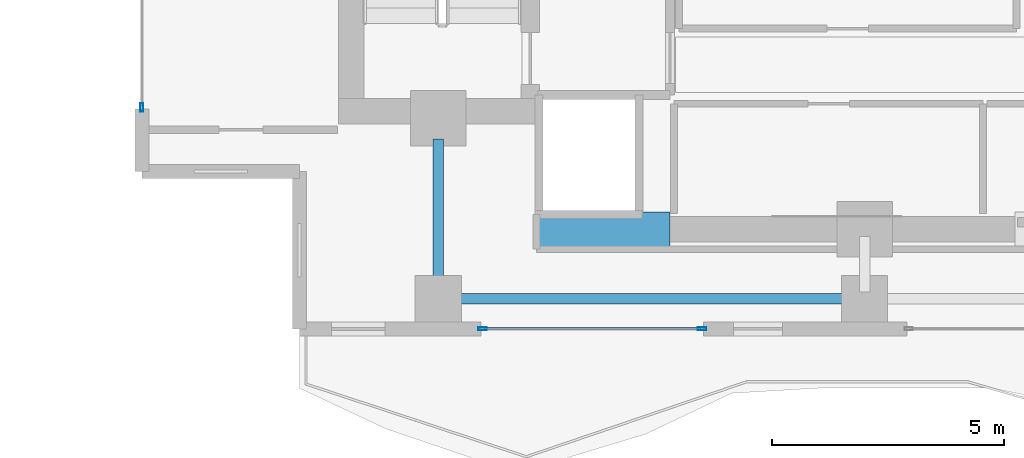
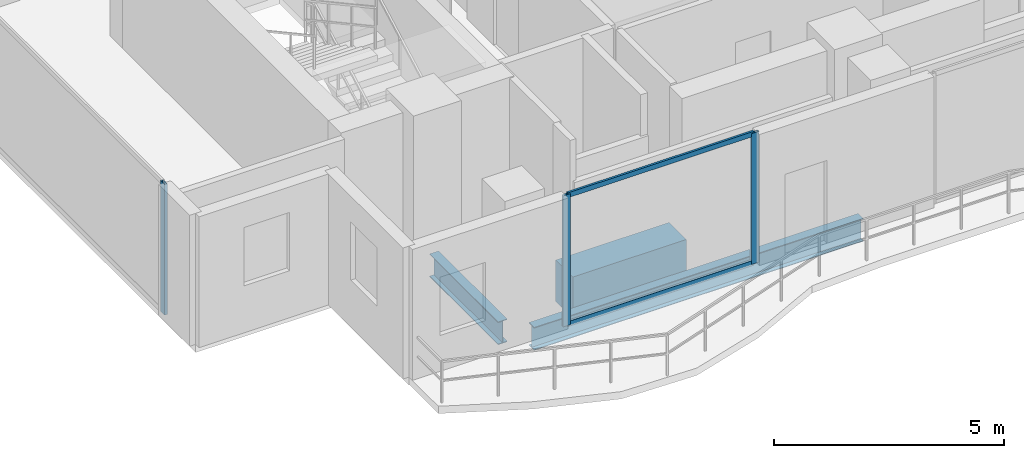
# One storey, part 2 of 23: 5 members, 3 beams, 2 elements without a shape of their own.
"""IFC4 building model written with IfcOpenShell, lengths in metres."""

from ifc_helpers import new_model, si_unit, direction, frame, origin, origin_2d, place, context, subcontext, project, spatial, rectangle, hollow_rectangle, i_section, extrude, material, layer, layer_set, material_profile, profile_set, type_object, element, aggregate, save


model = new_model("IFC4")

# Units and contexts
model_context = context("Model", 3, precision=1e-05, world=origin(), true_north=direction((0.0, 1.0)))
body_context = subcontext(model_context, "Body", "Model", "MODEL_VIEW")
ifc_project = project(units=[si_unit("LENGTHUNIT", "METRE"), si_unit("AREAUNIT", "SQUARE_METRE"), si_unit("VOLUMEUNIT", "CUBIC_METRE"), si_unit("PLANEANGLEUNIT", "RADIAN"), si_unit("MASSUNIT", "GRAM", prefix="KILO")], contexts=[model_context])

# Site, building, storey
site_placement = place(None, origin())
site = spatial("IfcSite", under=ifc_project, at=site_placement, CompositionType="ELEMENT")
building_placement = place(site_placement, origin())
building = spatial("IfcBuilding", under=site, at=building_placement, Name="Zuhayl Quay Hotel", CompositionType="ELEMENT")
storey_placement = place(building_placement, frame((0.0, 0.0, 261.85009765625)))
storey = spatial("IfcBuildingStorey", under=building, at=storey_placement, Name="L66", CompositionType="ELEMENT", Elevation=261.85009765625)

# Beams
ifc_material_1 = material(Name="Steel ASTM A992 Grade 50", Category="steel")
ifc_material_profile_1 = material_profile(ifc_material_1, i_section(OverallWidth=0.22802734375, OverallDepth=0.60693359375, WebThickness=0.01123046875, FlangeThickness=0.017333984375, at=origin_2d()), Name="W24X76")
ifc_profile_set_1 = profile_set([ifc_material_profile_1], Name="Steel ASTM A992 Grade 50")
beam_type_1 = type_object("IfcBeamType", Name="BM_B3_W24X76", PredefinedType="BEAM", material=ifc_profile_set_1)
beam_1_placement = place(storey_placement, frame((-13.340087890625, 0.64990234375, -0.523681640625), z_axis=(1.0, 0.0, 0.0), x_axis=(0.0, 1.0, 0.0)))
element("IfcBeam", 1, at=beam_1_placement, inside=storey, type_object=beam_type_1, Name="L66 Floor Beam RG_L66_01", PredefinedType="BEAM", context=body_context, shape_type="SweptSolid", body=[
    extrude(i_section(OverallWidth=0.22802734375, OverallDepth=0.60693359375, WebThickness=0.01123046875, FlangeThickness=0.017333984375, at=origin_2d()), origin(), (0.0, 0.0, 1.0), 8.280029296875),
])
beam_2_placement = place(storey_placement, frame((-13.800048828125, 1.110107421875, -0.523681640625), z_axis=(0.0, 1.0, 0.0), x_axis=(-1.0, 0.0, 0.0)))
element("IfcBeam", 2, at=beam_2_placement, inside=storey, type_object=beam_type_1, Name="L66 Floor Beam FG_S_L66_1", PredefinedType="BEAM", context=body_context, shape_type="SweptSolid", body=[
    extrude(i_section(OverallWidth=0.22802734375, OverallDepth=0.60693359375, WebThickness=0.01123046875, FlangeThickness=0.017333984375, at=origin_2d()), origin(), (0.0, 0.0, 1.0), 2.989990234375),
])
ifc_material_2 = material(Name="Concrete C60/75", Category="concrete")
ifc_material_profile_2 = material_profile(ifc_material_2, rectangle(XDim=0.75, YDim=1.10009765625, at=origin_2d()), Name="RC750X1100")
ifc_profile_set_2 = profile_set([ifc_material_profile_2], Name="Concrete C60/75")
beam_type_2 = type_object("IfcBeamType", Name="BM_CB2_RC750", PredefinedType="T_BEAM", material=ifc_profile_set_2)
beam_3_placement = place(storey_placement, frame((-11.64990234375, 2.14990234375, -0.77001953125), z_axis=(1.0, 0.0, 0.0), x_axis=(0.0, 1.0, 0.0)))
element("IfcBeam", 3, at=beam_3_placement, inside=storey, type_object=beam_type_2, Name="L66 Core Coupling Beam SW", PredefinedType="T_BEAM", context=body_context, shape_type="SweptSolid", body=[
    extrude(rectangle(XDim=0.75, YDim=1.10009765625, at=origin_2d()), origin(), (0.0, 0.0, 1.0), 2.849853515625),
])

# Curtain wall, member
ifc_material_3 = material(Name="Anodised Aluminium 6063-T6", Category="aluminium")
ifc_layer = layer(ifc_material_3, 0.169921875, Name="Anodised Aluminium 6063-T6", Category="aluminium")
ifc_layer_set = layer_set([ifc_layer], Name="Anodised Aluminium 6063-T6")
curtain_wall_type = type_object("IfcCurtainWallType", Name="CW_SYS_Z4", PredefinedType="USERDEFINED", material=ifc_layer_set)
curtain_wall_1_placement = place(storey_placement, origin())
curtain_wall_1 = element("IfcCurtainWall", 4, at=curtain_wall_1_placement, inside=storey, type_object=curtain_wall_type, Name="L66 Curtain Wall ENV_L66_E02_CW1", ObjectType="UNITISED CURTAIN WALL", PredefinedType="USERDEFINED")
ifc_material_4 = material(Name="Black-anodised aluminium 6063-T6", Category="aluminium")
ifc_material_profile_3 = material_profile(ifc_material_4, hollow_rectangle(XDim=0.06494140625, YDim=0.179931640625, WallThickness=0.00341796875, at=origin_2d()), Name="ALU180X65")
ifc_profile_set_3 = profile_set([ifc_material_profile_3], Name="Black-anodised aluminium 6063-T6")
member_type_1 = type_object("IfcMemberType", Name="MB_CW_MUL_180", PredefinedType="MULLION", material=ifc_profile_set_3)
member_1_placement = place(storey_placement, frame((-20.199951171875, 4.782470703125, 0.0), z_axis=(0.0, 0.0, 1.0), x_axis=(-1.0, 0.0, 0.0)))
member_1 = element("IfcMember", 5, at=member_1_placement, type_object=member_type_1, Name="CW-Z4 mullion 1", PredefinedType="MULLION", context=body_context, shape_type="SweptSolid", body=[
    extrude(hollow_rectangle(XDim=0.06494140625, YDim=0.179931640625, WallThickness=0.00341796875, at=origin_2d()), origin(), (0.0, 0.0, 1.0), 3.47998046875),
])
aggregate(curtain_wall_1, [member_1])

# Curtain wall, members
curtain_wall_2_placement = place(storey_placement, origin())
curtain_wall_2 = element("IfcCurtainWall", 6, at=curtain_wall_2_placement, inside=storey, type_object=curtain_wall_type, Name="L66 Curtain Wall ENV_L66_S_CW4", ObjectType="UNITISED CURTAIN WALL", PredefinedType="USERDEFINED")
member_2_placement = place(storey_placement, frame((-8.107421875, 0.0, 0.0), z_axis=(0.0, 0.0, 1.0), x_axis=(0.0, -1.0, 0.0)))
member_2 = element("IfcMember", 7, at=member_2_placement, type_object=member_type_1, Name="CW-Z4 mullion 1", PredefinedType="MULLION", context=body_context, shape_type="SweptSolid", body=[
    extrude(hollow_rectangle(XDim=0.06494140625, YDim=0.179931640625, WallThickness=0.00341796875, at=origin_2d()), origin(), (0.0, 0.0, 1.0), 3.47998046875),
])
member_3_placement = place(storey_placement, frame((-12.847412109375, 0.0, 0.0), z_axis=(0.0, 0.0, 1.0), x_axis=(0.0, -1.0, 0.0)))
member_3 = element("IfcMember", 8, at=member_3_placement, type_object=member_type_1, Name="CW-Z4 mullion 2", PredefinedType="MULLION", context=body_context, shape_type="SweptSolid", body=[
    extrude(hollow_rectangle(XDim=0.06494140625, YDim=0.179931640625, WallThickness=0.00341796875, at=origin_2d()), origin(), (0.0, 0.0, 1.0), 3.47998046875),
])
ifc_material_profile_4 = material_profile(ifc_material_4, hollow_rectangle(XDim=0.054931640625, YDim=0.1298828125, WallThickness=0.0029296875, at=origin_2d()), Name="ALU130X55")
ifc_profile_set_4 = profile_set([ifc_material_profile_4], Name="Black-anodised aluminium 6063-T6")
member_type_2 = type_object("IfcMemberType", Name="MB_CW_TRN_130", PredefinedType="USERDEFINED", material=ifc_profile_set_4)
member_4_placement = place(storey_placement, frame((-8.139892578125, 0.0, 0.02734375), z_axis=(-1.0, 0.0, 0.0), x_axis=(0.0, -1.0, 0.0)))
member_4 = element("IfcMember", 9, at=member_4_placement, type_object=member_type_2, Name="CW-Z4 transom 1.1", ObjectType="TRANSOM", PredefinedType="USERDEFINED", context=body_context, shape_type="SweptSolid", body=[
    extrude(hollow_rectangle(XDim=0.054931640625, YDim=0.1298828125, WallThickness=0.0029296875, at=origin_2d()), origin(), (0.0, 0.0, 1.0), 4.675048828125),
])
member_5_placement = place(storey_placement, frame((-8.139892578125, 0.0, 3.452392578125), z_axis=(-1.0, 0.0, 0.0), x_axis=(0.0, -1.0, 0.0)))
member_5 = element("IfcMember", 10, at=member_5_placement, type_object=member_type_2, Name="CW-Z4 transom 1.2", ObjectType="TRANSOM", PredefinedType="USERDEFINED", context=body_context, shape_type="SweptSolid", body=[
    extrude(hollow_rectangle(XDim=0.054931640625, YDim=0.1298828125, WallThickness=0.0029296875, at=origin_2d()), origin(), (0.0, 0.0, 1.0), 4.675048828125),
])
aggregate(curtain_wall_2, [member_2, member_3, member_4, member_5])

save(model, "model.ifc")
